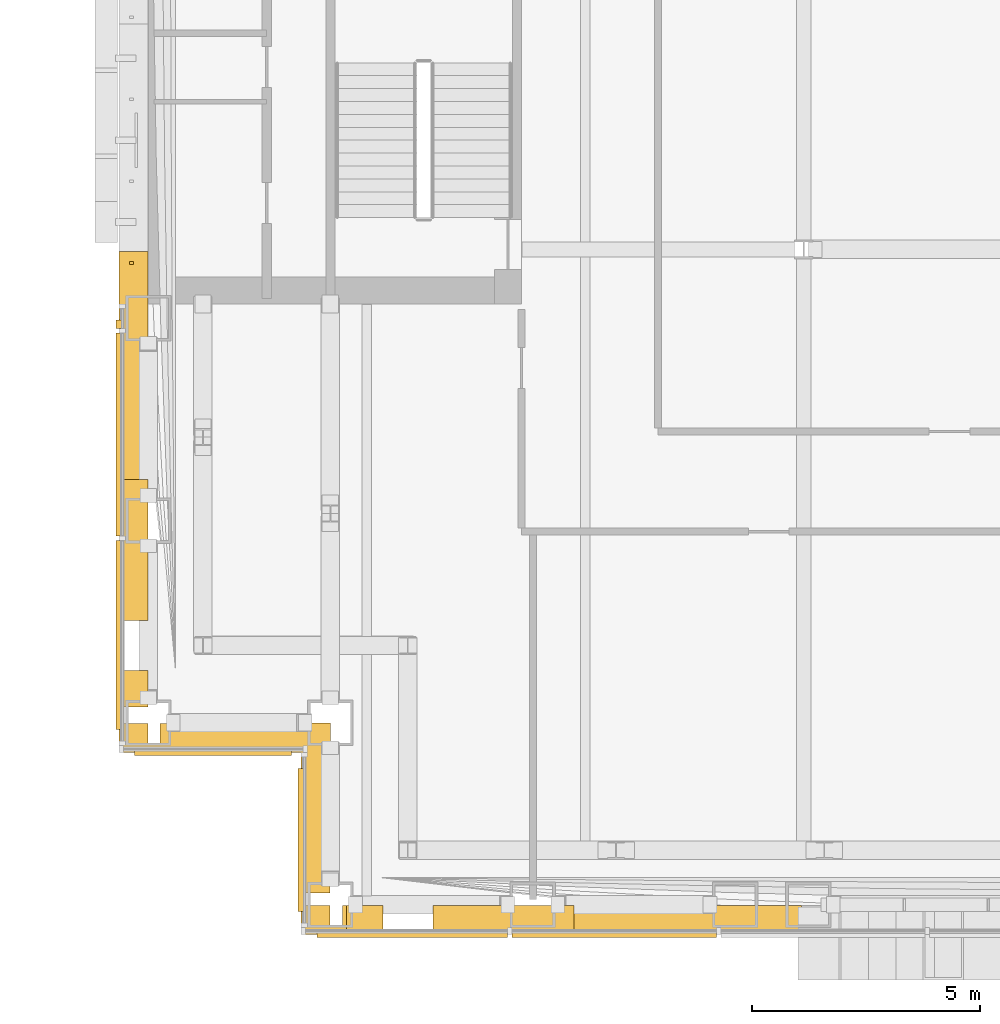
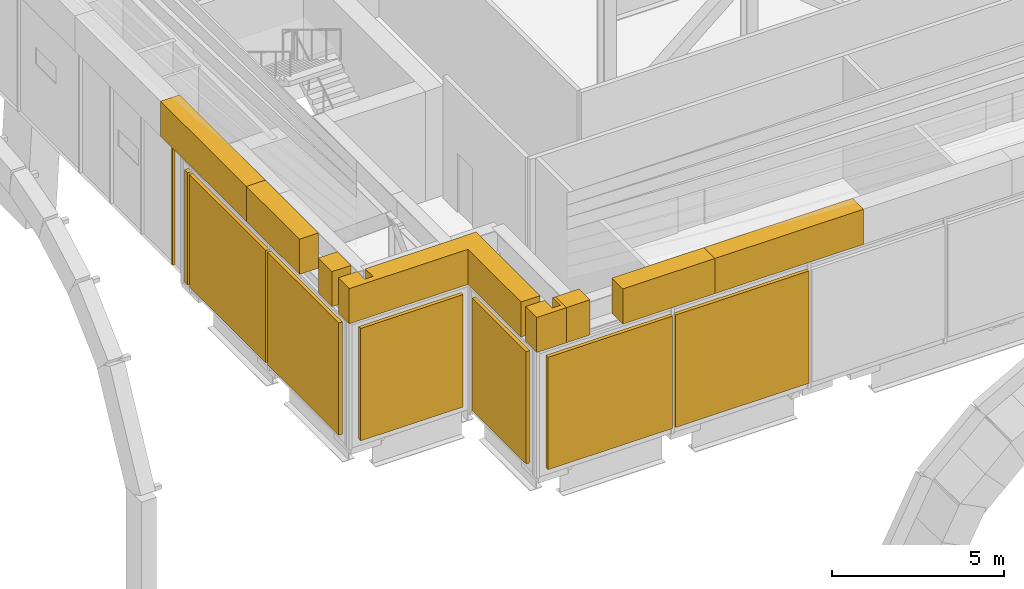
# One storey, part 21 of 39: 16 coverings.
"""IFC4 building model written with IfcOpenShell, lengths in metres."""

from ifc_helpers import new_model, si_unit, direction, frame, origin, origin_2d, place, context, subcontext, project, spatial, polyline, rectangle, outline, extrude, material, type_object, element, save


model = new_model("IFC4")

# Units and contexts
model_context = context("Model", 3, precision=1e-05, world=origin(), true_north=direction((0.0, 1.0)))
body_context = subcontext(model_context, "Body", "Model", "MODEL_VIEW")
ifc_project = project(units=[si_unit("LENGTHUNIT", "METRE"), si_unit("AREAUNIT", "SQUARE_METRE"), si_unit("VOLUMEUNIT", "CUBIC_METRE"), si_unit("PLANEANGLEUNIT", "RADIAN"), si_unit("MASSUNIT", "GRAM", prefix="KILO")], contexts=[model_context])

# Site, building, storey
site_placement = place(None, origin())
site = spatial("IfcSite", under=ifc_project, at=site_placement, CompositionType="ELEMENT")
building_placement = place(site_placement, origin())
building = spatial("IfcBuilding", under=site, at=building_placement, Name="Cobrizo Arcos Hotel Tower", CompositionType="ELEMENT")
storey_placement = place(building_placement, frame((0.0, 0.0, 84.5)))
storey = spatial("IfcBuildingStorey", under=building, at=storey_placement, Name="L20", CompositionType="ELEMENT", Elevation=84.5)

# Coverings
ifc_material_1 = material(Name="Aluminium 6063-T6 anodised pale", Category="aluminium")
covering_type_1 = type_object("IfcCoveringType", Name="LF-1 setback skirt", PredefinedType="CLADDING", material=ifc_material_1)
covering_1_placement = place(storey_placement, frame((0.0, 0.0, 4.5)))
element("IfcCovering", 1, at=covering_1_placement, inside=storey, type_object=covering_type_1, Name="Setback skirt L20", PredefinedType="CLADDING", context=body_context, shape_type="SweptSolid", body=[
    extrude(outline(polyline([(-20.64990234375, -24.010009765625), (-20.64990234375, -24.64990234375), (-19.64990234375, -24.64990234375), (-19.64990234375, -24.010009765625), (-19.739990234375, -24.010009765625), (-19.739990234375, -24.449951171875), (-19.739990234375, -24.450927734375), (-19.740234375, -24.451904296875), (-19.740478515625, -24.452880859375), (-19.74072265625, -24.453857421875), (-19.7412109375, -24.45458984375), (-19.74169921875, -24.45556640625), (-19.7421875, -24.456298828125), (-19.742919921875, -24.45703125), (-19.74365234375, -24.457763671875), (-19.744384765625, -24.458251953125), (-19.745361328125, -24.458740234375), (-19.74609375, -24.459228515625), (-19.7470703125, -24.459716796875), (-19.748046875, -24.459716796875), (-19.7490234375, -24.4599609375), (-19.75, -24.4599609375), (-20.0, -24.4599609375), (-20.0009765625, -24.4599609375), (-20.001953125, -24.459716796875), (-20.0029296875, -24.459716796875), (-20.00390625, -24.459228515625), (-20.004638671875, -24.458740234375), (-20.005615234375, -24.458251953125), (-20.00634765625, -24.457763671875), (-20.007080078125, -24.45703125), (-20.0078125, -24.456298828125), (-20.00830078125, -24.45556640625), (-20.0087890625, -24.45458984375), (-20.00927734375, -24.453857421875), (-20.009521484375, -24.452880859375), (-20.009765625, -24.451904296875), (-20.010009765625, -24.450927734375), (-20.010009765625, -24.449951171875), (-20.010009765625, -24.010009765625), (-20.64990234375, -24.010009765625)])), origin(), (0.0, 0.0, 1.0), 1.25),
])
covering_2_placement = place(storey_placement, frame((0.0, 0.0, 4.5)))
element("IfcCovering", 2, at=covering_2_placement, inside=storey, type_object=covering_type_1, Name="Setback skirt L20", PredefinedType="CLADDING", context=body_context, shape_type="SweptSolid", body=[
    extrude(outline(polyline([(-24.010009765625, -20.010009765625), (-24.64990234375, -20.010009765625), (-24.64990234375, -20.64990234375), (-20.64990234375, -20.64990234375), (-20.64990234375, -23.739990234375), (-20.010009765625, -23.739990234375), (-20.010009765625, -20.699951171875), (-20.010009765625, -20.698974609375), (-20.009765625, -20.697998046875), (-20.009521484375, -20.697021484375), (-20.00927734375, -20.6962890625), (-20.0087890625, -20.6953125), (-20.00830078125, -20.6943359375), (-20.0, -20.68310546875), (-20.0, -20.0), (-20.43310546875, -20.0), (-20.4443359375, -20.00830078125), (-20.4453125, -20.0087890625), (-20.4462890625, -20.00927734375), (-20.447021484375, -20.009521484375), (-20.447998046875, -20.009765625), (-20.448974609375, -20.010009765625), (-20.449951171875, -20.010009765625), (-23.739990234375, -20.010009765625), (-23.739990234375, -20.449951171875), (-23.739990234375, -20.450927734375), (-23.740234375, -20.451904296875), (-23.740478515625, -20.452880859375), (-23.74072265625, -20.453857421875), (-23.7412109375, -20.45458984375), (-23.74169921875, -20.45556640625), (-23.7421875, -20.456298828125), (-23.742919921875, -20.45703125), (-23.74365234375, -20.457763671875), (-23.744384765625, -20.458251953125), (-23.745361328125, -20.458740234375), (-23.74609375, -20.459228515625), (-23.7470703125, -20.459716796875), (-23.748046875, -20.459716796875), (-23.7490234375, -20.4599609375), (-23.75, -20.4599609375), (-24.0, -20.4599609375), (-24.0009765625, -20.4599609375), (-24.001953125, -20.459716796875), (-24.0029296875, -20.459716796875), (-24.00390625, -20.459228515625), (-24.004638671875, -20.458740234375), (-24.005615234375, -20.458251953125), (-24.00634765625, -20.457763671875), (-24.007080078125, -20.45703125), (-24.0078125, -20.456298828125), (-24.00830078125, -20.45556640625), (-24.0087890625, -20.45458984375), (-24.00927734375, -20.453857421875), (-24.009521484375, -20.452880859375), (-24.009765625, -20.451904296875), (-24.010009765625, -20.450927734375), (-24.010009765625, -20.449951171875), (-24.010009765625, -20.010009765625)])), origin(), (0.0, 0.0, 1.0), 1.25),
])
covering_3_placement = place(storey_placement, frame((0.0, 0.0, 4.5)))
element("IfcCovering", 3, at=covering_3_placement, inside=storey, type_object=covering_type_1, Name="Setback skirt L20", PredefinedType="CLADDING", context=body_context, shape_type="SweptSolid", body=[
    extrude(outline(polyline([(-24.64990234375, -18.85009765625), (-24.64990234375, -19.64990234375), (-24.010009765625, -19.64990234375), (-24.010009765625, -18.85009765625), (-24.64990234375, -18.85009765625)])), origin(), (0.0, 0.0, 1.0), 1.25),
])
covering_4_placement = place(storey_placement, frame((0.0, 0.0, 4.5)))
element("IfcCovering", 4, at=covering_4_placement, inside=storey, type_object=covering_type_1, Name="Setback skirt L20", PredefinedType="CLADDING", context=body_context, shape_type="SweptSolid", body=[
    extrude(outline(polyline([(-24.64990234375, -17.75), (-24.010009765625, -17.75), (-24.010009765625, -14.64990234375), (-24.64990234375, -14.64990234375), (-24.64990234375, -17.75)])), origin(), (0.0, 0.0, 1.0), 1.25),
])
covering_5_placement = place(storey_placement, frame((0.0, 0.0, 4.5)))
element("IfcCovering", 5, at=covering_5_placement, inside=storey, type_object=covering_type_1, Name="Setback skirt L20", PredefinedType="CLADDING", context=body_context, shape_type="SweptSolid", body=[
    extrude(outline(polyline([(-24.64990234375, -9.64990234375), (-24.64990234375, -14.64990234375), (-24.010009765625, -14.64990234375), (-24.010009765625, -9.64990234375), (-24.64990234375, -9.64990234375)])), origin(), (0.0, 0.0, 1.0), 1.25),
])
covering_6_placement = place(storey_placement, frame((0.0, 0.0, 4.5)))
element("IfcCovering", 6, at=covering_6_placement, inside=storey, type_object=covering_type_1, Name="Setback skirt L20", PredefinedType="CLADDING", context=body_context, shape_type="SweptSolid", body=[
    extrude(outline(polyline([(-17.75, -24.010009765625), (-17.75, -24.64990234375), (-14.64990234375, -24.64990234375), (-14.64990234375, -24.010009765625), (-17.75, -24.010009765625)])), origin(), (0.0, 0.0, 1.0), 1.25),
])
covering_7_placement = place(storey_placement, frame((0.0, 0.0, 4.5)))
element("IfcCovering", 7, at=covering_7_placement, inside=storey, type_object=covering_type_1, Name="Setback skirt L20", PredefinedType="CLADDING", context=body_context, shape_type="SweptSolid", body=[
    extrude(outline(polyline([(-18.85009765625, -24.010009765625), (-19.64990234375, -24.010009765625), (-19.64990234375, -24.64990234375), (-18.85009765625, -24.64990234375), (-18.85009765625, -24.010009765625)])), origin(), (0.0, 0.0, 1.0), 1.25),
])
covering_8_placement = place(storey_placement, frame((0.0, 0.0, 4.5)))
element("IfcCovering", 8, at=covering_8_placement, inside=storey, type_object=covering_type_1, Name="Setback skirt L20", PredefinedType="CLADDING", context=body_context, shape_type="SweptSolid", body=[
    extrude(outline(polyline([(-9.64990234375, -24.010009765625), (-14.64990234375, -24.010009765625), (-14.64990234375, -24.64990234375), (-9.64990234375, -24.64990234375), (-9.64990234375, -24.010009765625)])), origin(), (0.0, 0.0, 1.0), 1.25),
])
ifc_material_2 = material(Name="Aluminium 6063-T6 anodised bronze", Category="aluminium")
covering_type_2 = type_object("IfcCoveringType", Name="LV-1 plant louvre band", PredefinedType="CLADDING", material=ifc_material_2)
covering_9_placement = place(storey_placement, frame((-18.20556640625, -24.655029296875, 0.25), z_axis=(0.0, 0.0, 1.0), x_axis=(1.0, 0.0, 0.0)))
element("IfcCovering", 9, at=covering_9_placement, inside=storey, type_object=covering_type_2, Name="louvre band 813", PredefinedType="CLADDING", context=body_context, shape_type="SweptSolid", body=[
    extrude(rectangle(XDim=4.18896484375, YDim=0.1201171875, at=origin_2d()), origin(), (0.0, 0.0, 1.0), 4.0),
])
covering_10_placement = place(storey_placement, frame((-13.7666015625, -24.655029296875, 0.25), z_axis=(0.0, 0.0, 1.0), x_axis=(1.0, 0.0, 0.0)))
element("IfcCovering", 10, at=covering_10_placement, inside=storey, type_object=covering_type_2, Name="louvre band 814", PredefinedType="CLADDING", context=body_context, shape_type="SweptSolid", body=[
    extrude(rectangle(XDim=4.48876953125, YDim=0.1201171875, at=origin_2d()), origin(), (0.0, 0.0, 1.0), 4.0),
])
covering_11_placement = place(storey_placement, frame((-24.655029296875, -11.244384765625, 0.25), z_axis=(0.0, 0.0, 1.0), x_axis=(0.0, -1.0, 0.0)))
element("IfcCovering", 11, at=covering_11_placement, inside=storey, type_object=covering_type_2, Name="louvre band 846", PredefinedType="CLADDING", context=body_context, shape_type="SweptSolid", body=[
    extrude(rectangle(XDim=0.18896484375, YDim=0.1201171875, at=origin_2d()), origin(), (0.0, 0.0, 1.0), 4.0),
])
covering_12_placement = place(storey_placement, frame((-24.655029296875, -13.666748046875, 0.25), z_axis=(0.0, 0.0, 1.0), x_axis=(0.0, -1.0, 0.0)))
element("IfcCovering", 12, at=covering_12_placement, inside=storey, type_object=covering_type_2, Name="louvre band 847", PredefinedType="CLADDING", context=body_context, shape_type="SweptSolid", body=[
    extrude(rectangle(XDim=4.45556640625, YDim=0.1201171875, at=origin_2d()), origin(), (0.0, 0.0, 1.0), 4.0),
])
covering_13_placement = place(storey_placement, frame((-24.655029296875, -18.072265625, 0.25), z_axis=(0.0, 0.0, 1.0), x_axis=(0.0, -1.0, 0.0)))
element("IfcCovering", 13, at=covering_13_placement, inside=storey, type_object=covering_type_2, Name="louvre band 848", PredefinedType="CLADDING", context=body_context, shape_type="SweptSolid", body=[
    extrude(rectangle(XDim=4.155517578125, YDim=0.1201171875, at=origin_2d()), origin(), (0.0, 0.0, 1.0), 4.0),
])
covering_14_placement = place(storey_placement, frame((-22.574951171875, -20.655029296875, 0.25), z_axis=(0.0, 0.0, 1.0), x_axis=(1.0, 0.0, 0.0)))
element("IfcCovering", 14, at=covering_14_placement, inside=storey, type_object=covering_type_2, Name="louvre band 849", PredefinedType="CLADDING", context=body_context, shape_type="SweptSolid", body=[
    extrude(rectangle(XDim=3.449951171875, YDim=0.1201171875, at=origin_2d()), origin(), (0.0, 0.0, 1.0), 4.0),
])
covering_15_placement = place(storey_placement, frame((-20.655029296875, -22.574951171875, 0.25), z_axis=(0.0, 0.0, 1.0), x_axis=(0.0, -1.0, 0.0)))
element("IfcCovering", 15, at=covering_15_placement, inside=storey, type_object=covering_type_2, Name="louvre band 850", PredefinedType="CLADDING", context=body_context, shape_type="SweptSolid", body=[
    extrude(rectangle(XDim=3.14990234375, YDim=0.1201171875, at=origin_2d()), origin(), (0.0, 0.0, 1.0), 4.0),
])
covering_type_3 = type_object("IfcCoveringType", Name="RS-1 rainscreen rib 60x90", PredefinedType="CLADDING", material=ifc_material_1)
covering_16_placement = place(storey_placement, frame((-24.3701171875, -9.89990234375, 0.0), z_axis=(0.0, 0.0, 1.0), x_axis=(0.0, -1.0, 0.0)))
element("IfcCovering", 16, at=covering_16_placement, inside=storey, type_object=covering_type_3, Name="Rainscreen rib 40", PredefinedType="CLADDING", context=body_context, shape_type="SweptSolid", body=[
    extrude(rectangle(XDim=0.06005859375, YDim=0.090087890625, at=origin_2d()), origin(), (0.0, 0.0, 1.0), 4.5),
])

save(model, "model.ifc")
